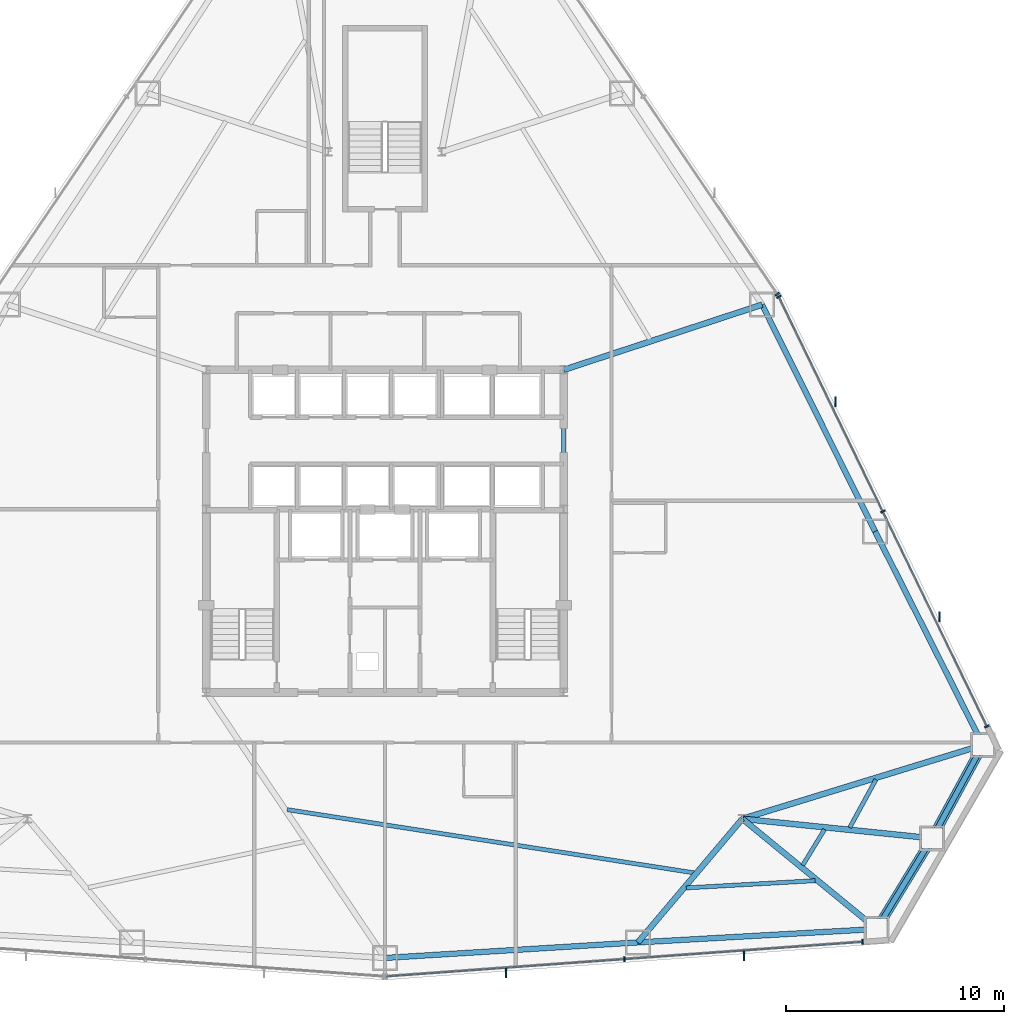
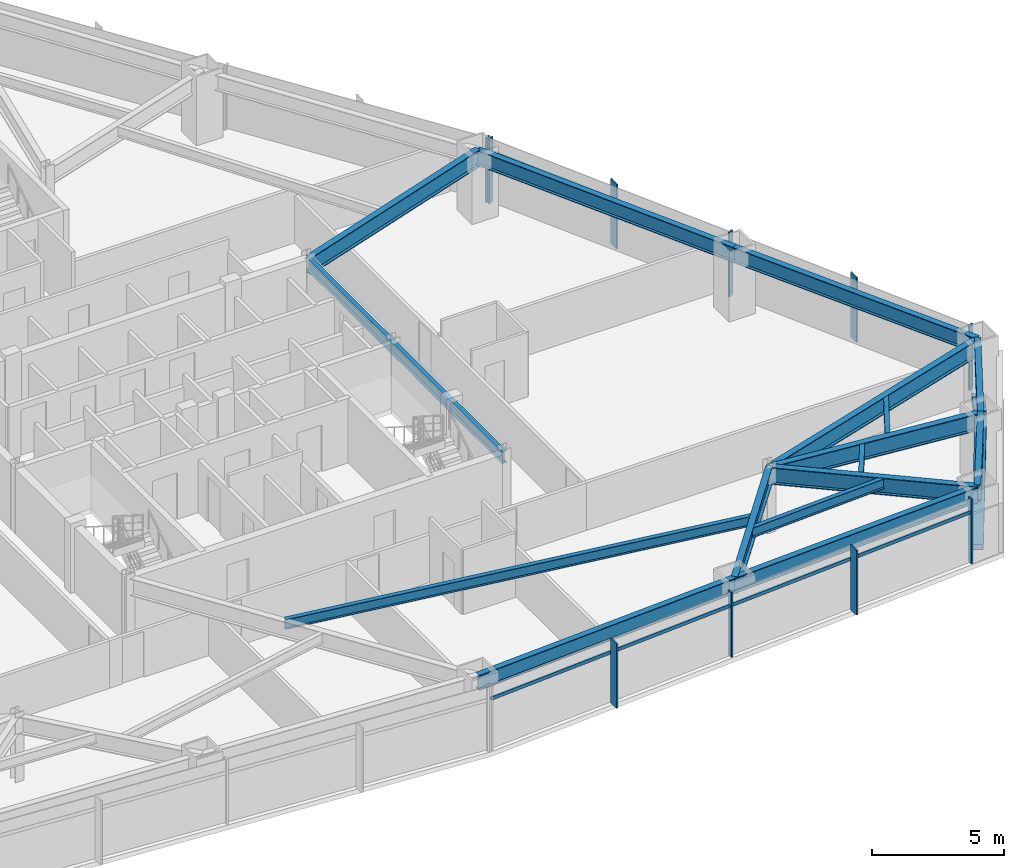
# One storey, part 6 of 12: 16 beams, 14 members, 3 elements without a shape of their own.
"""IFC4 building model written with IfcOpenShell, lengths in metres."""

from ifc_helpers import new_model, si_unit, direction, frame, origin, origin_2d, place, context, subcontext, project, spatial, rectangle, hollow_rectangle, i_section, extrude, source, transform, mapped, material, layer, layer_set, material_profile, profile_set, type_object, type_shapes, element, aggregate, save


model = new_model("IFC4")

# Units and contexts
model_context = context("Model", 3, precision=1e-05, world=origin(), true_north=direction((0.0, 1.0)))
body_context = subcontext(model_context, "Body", "Model", "MODEL_VIEW")
ifc_project = project(units=[si_unit("LENGTHUNIT", "METRE"), si_unit("AREAUNIT", "SQUARE_METRE"), si_unit("VOLUMEUNIT", "CUBIC_METRE"), si_unit("PLANEANGLEUNIT", "RADIAN"), si_unit("MASSUNIT", "GRAM", prefix="KILO")], contexts=[model_context])

# Site, building, storey
site_placement = place(None, origin())
site = spatial("IfcSite", under=ifc_project, at=site_placement, CompositionType="ELEMENT")
building_placement = place(site_placement, origin())
building = spatial("IfcBuilding", under=site, at=building_placement, Name="Varakhsha Concourse Tower", CompositionType="ELEMENT")
storey_placement = place(building_placement, frame((0.0, 0.0, 59.199951171875)))
storey = spatial("IfcBuildingStorey", under=building, at=storey_placement, Name="L16", CompositionType="ELEMENT", Elevation=59.199951171875)

# Beams
ifc_material_1 = material(Name="Structural Steel ASTM A992 Grade 50", Category="steel")
ifc_material_profile_1 = material_profile(ifc_material_1, i_section(OverallWidth=0.26611328125, OverallDepth=0.779052734375, WebThickness=0.01708984375, FlangeThickness=0.030029296875, at=origin_2d()), Name="W30X148")
ifc_profile_set_1 = profile_set([ifc_material_profile_1], Name="Structural Steel ASTM A992 Grade 50")
beam_type_1 = type_object("IfcBeamType", Name="BM-BASE-W30X148", PredefinedType="USERDEFINED", material=ifc_profile_set_1)
beam_1_placement = place(storey_placement, frame((56.39990234375, 10.60009765625, 2.590576171875), z_axis=(-0.645535260448, -0.763730467848, 0.0), x_axis=(0.763730467848, -0.645535260448, 0.0)))
element("IfcBeam", 1, at=beam_1_placement, inside=storey, type_object=beam_type_1, Name="L16 Radial Floor Girder 12", ObjectType="GIRDER", PredefinedType="USERDEFINED", context=body_context, shape_type="SweptSolid", body=[
    extrude(i_section(OverallWidth=0.26611328125, OverallDepth=0.779052734375, WebThickness=0.01708984375, FlangeThickness=0.030029296875, at=origin_2d()), origin(), (0.0, 0.0, 1.0), 7.423583984375),
])
beam_2_placement = place(storey_placement, frame((56.39990234375, 10.60009765625, 2.590576171875), z_axis=(0.773178879733, -0.634188000466, 0.0), x_axis=(0.634188000466, 0.773178879733, 0.0)))
element("IfcBeam", 2, at=beam_2_placement, inside=storey, type_object=beam_type_1, Name="L16 Radial Floor Girder 13", ObjectType="GIRDER", PredefinedType="USERDEFINED", context=body_context, shape_type="SweptSolid", body=[
    extrude(i_section(OverallWidth=0.26611328125, OverallDepth=0.779052734375, WebThickness=0.01708984375, FlangeThickness=0.030029296875, at=origin_2d()), origin(), (0.0, 0.0, 1.0), 7.97119140625),
])
beam_3_placement = place(storey_placement, frame((56.39990234375, 10.60009765625, 2.590576171875), z_axis=(0.994778315071, -0.102059315422, 0.0), x_axis=(0.102059315422, 0.994778315071, 0.0)))
element("IfcBeam", 3, at=beam_3_placement, inside=storey, type_object=beam_type_1, Name="L16 Radial Floor Girder 14", ObjectType="GIRDER", PredefinedType="USERDEFINED", context=body_context, shape_type="SweptSolid", body=[
    extrude(i_section(OverallWidth=0.26611328125, OverallDepth=0.779052734375, WebThickness=0.01708984375, FlangeThickness=0.030029296875, at=origin_2d()), origin(), (0.0, 0.0, 1.0), 8.748046875),
])
beam_4_placement = place(storey_placement, frame((56.39990234375, 10.60009765625, 2.590576171875), z_axis=(0.955989537432, 0.293400757191, 0.0), x_axis=(-0.293400757191, 0.955989537432, 0.0)))
element("IfcBeam", 4, at=beam_4_placement, inside=storey, type_object=beam_type_1, Name="L16 Radial Floor Girder 15", ObjectType="GIRDER", PredefinedType="USERDEFINED", context=body_context, shape_type="SweptSolid", body=[
    extrude(i_section(OverallWidth=0.26611328125, OverallDepth=0.779052734375, WebThickness=0.01708984375, FlangeThickness=0.030029296875, at=origin_2d()), origin(), (0.0, 0.0, 1.0), 11.54541015625),
])
beam_5_placement = place(storey_placement, frame((48.199951171875, 31.199951171875, 2.590576171875), z_axis=(0.950042324333, 0.31212110146, 0.0), x_axis=(-0.31212110146, 0.950042324333, 0.0)))
element("IfcBeam", 5, at=beam_5_placement, inside=storey, type_object=beam_type_1, Name="L16 Radial Floor Girder 17", ObjectType="GIRDER", PredefinedType="USERDEFINED", context=body_context, shape_type="SweptSolid", body=[
    extrude(i_section(OverallWidth=0.26611328125, OverallDepth=0.779052734375, WebThickness=0.01708984375, FlangeThickness=0.030029296875, at=origin_2d()), origin(), (0.0, 0.0, 1.0), 9.584228515625),
])
ifc_material_profile_2 = material_profile(ifc_material_1, i_section(OverallWidth=0.19091796875, OverallDepth=0.45703125, WebThickness=0.009033203125, FlangeThickness=0.013916015625, at=origin_2d()), Name="W18X50")
ifc_profile_set_2 = profile_set([ifc_material_profile_2], Name="Structural Steel ASTM A992 Grade 50")
beam_type_2 = type_object("IfcBeamType", Name="BM-JST-W18X50", PredefinedType="JOIST", material=ifc_profile_set_2)
beam_6_placement = place(storey_placement, frame((35.5166015625, 11.022705078125, 2.75146484375), z_axis=(0.988142278735, -0.153540994446, 0.0), x_axis=(0.153540994446, 0.988142278735, 0.0)))
element("IfcBeam", 6, at=beam_6_placement, inside=storey, type_object=beam_type_2, Name="BM-TJST-L16-11", PredefinedType="JOIST", context=body_context, shape_type="SweptSolid", body=[
    extrude(i_section(OverallWidth=0.19091796875, OverallDepth=0.45703125, WebThickness=0.009033203125, FlangeThickness=0.013916015625, at=origin_2d()), origin(), (0.0, 0.0, 1.0), 18.889892578125),
])
beam_7_placement = place(storey_placement, frame((53.826171875, 7.43115234375, 2.75146484375), z_axis=(0.998430668569, 0.056001786231, 0.0), x_axis=(-0.056001786231, 0.998430668569, 0.0)))
element("IfcBeam", 7, at=beam_7_placement, inside=storey, type_object=beam_type_2, Name="BM-TJST-L16-12", PredefinedType="JOIST", context=body_context, shape_type="SweptSolid", body=[
    extrude(i_section(OverallWidth=0.19091796875, OverallDepth=0.45703125, WebThickness=0.009033203125, FlangeThickness=0.013916015625, at=origin_2d()), origin(), (0.0, 0.0, 1.0), 5.924560546875),
])
beam_8_placement = place(storey_placement, frame((59.1689453125, 8.4697265625, 2.75146484375), z_axis=(0.520803562665, 0.853676548299, 0.0), x_axis=(-0.853676548299, 0.520803562665, 0.0)))
element("IfcBeam", 8, at=beam_8_placement, inside=storey, type_object=beam_type_2, Name="BM-TJST-L16-13", PredefinedType="JOIST", context=body_context, shape_type="SweptSolid", body=[
    extrude(i_section(OverallWidth=0.19091796875, OverallDepth=0.45703125, WebThickness=0.009033203125, FlangeThickness=0.013916015625, at=origin_2d()), origin(), (0.0, 0.0, 1.0), 1.92529296875),
])
beam_9_placement = place(storey_placement, frame((61.325927734375, 10.196533203125, 2.75146484375), z_axis=(0.478940703394, 0.877847254728, 0.0), x_axis=(-0.877847254728, 0.478940703394, 0.0)))
element("IfcBeam", 9, at=beam_9_placement, inside=storey, type_object=beam_type_2, Name="BM-TJST-L16-14", PredefinedType="JOIST", context=body_context, shape_type="SweptSolid", body=[
    extrude(i_section(OverallWidth=0.19091796875, OverallDepth=0.45703125, WebThickness=0.009033203125, FlangeThickness=0.013916015625, at=origin_2d()), origin(), (0.0, 0.0, 1.0), 2.510498046875),
])
ifc_material_profile_3 = material_profile(ifc_material_1, i_section(OverallWidth=0.2109375, OverallDepth=0.5390625, WebThickness=0.011962890625, FlangeThickness=0.01904296875, at=origin_2d()), Name="W21X73")
ifc_profile_set_3 = profile_set([ifc_material_profile_3], Name="Structural Steel ASTM A992 Grade 50")
beam_type_3 = type_object("IfcBeamType", Name="BM-RAD-W21X73", PredefinedType="BEAM", material=ifc_profile_set_3)
beam_10_placement = place(storey_placement, frame((48.199951171875, 16.39990234375, 2.71044921875), z_axis=(0.0, 1.0, 0.0), x_axis=(-1.0, 0.0, 0.0)))
element("IfcBeam", 10, at=beam_10_placement, inside=storey, type_object=beam_type_3, Name="BM-TCORE-L16-CE", PredefinedType="BEAM", context=body_context, shape_type="SweptSolid", body=[
    extrude(i_section(OverallWidth=0.2109375, OverallDepth=0.5390625, WebThickness=0.011962890625, FlangeThickness=0.01904296875, at=origin_2d()), origin(), (0.0, 0.0, 1.0), 14.800048828125),
])
ifc_material_profile_4 = material_profile(ifc_material_1, i_section(OverallWidth=0.25390625, OverallDepth=0.701904296875, WebThickness=0.014892578125, FlangeThickness=0.028076171875, at=origin_2d()), Name="W27X129")
ifc_profile_set_4 = profile_set([ifc_material_profile_4], Name="Structural Steel ASTM A992 Grade 50")
beam_type_4 = type_object("IfcBeamType", Name="BM-SPAN-W27X129", PredefinedType="SPANDREL", material=ifc_profile_set_4)
beam_11_placement = place(storey_placement, frame((40.0, 4.217529296875, 2.629150390625), z_axis=(0.998119386506, 0.061300002284, 0.0), x_axis=(-0.061300002284, 0.998119386506, 0.0)))
element("IfcBeam", 11, at=beam_11_placement, inside=storey, type_object=beam_type_4, Name="BM-SPAN-L16-11", PredefinedType="SPANDREL", context=body_context, shape_type="SweptSolid", body=[
    extrude(i_section(OverallWidth=0.25390625, OverallDepth=0.701904296875, WebThickness=0.014892578125, FlangeThickness=0.028076171875, at=origin_2d()), origin(), (0.0, 0.0, 1.0), 11.629638671875),
])
beam_12_placement = place(storey_placement, frame((51.607666015625, 4.930419921875, 2.629150390625), z_axis=(0.998430566592, 0.056003604308, 0.0), x_axis=(-0.056003604308, 0.998430566592, 0.0)))
element("IfcBeam", 12, at=beam_12_placement, inside=storey, type_object=beam_type_4, Name="BM-SPAN-L16-12", PredefinedType="SPANDREL", context=body_context, shape_type="SweptSolid", body=[
    extrude(i_section(OverallWidth=0.25390625, OverallDepth=0.701904296875, WebThickness=0.014892578125, FlangeThickness=0.028076171875, at=origin_2d()), origin(), (0.0, 0.0, 1.0), 10.97265625),
])
for number, where, z_axis, x_axis, name in (
    (13, (62.56298828125, 5.544921875, 2.629150390625), (0.520799708694, 0.853678899484, 0.0), (-0.853678899484, 0.520799708694, 0.0), "BM-SPAN-L16-13"),
    (14, (65.102294921875, 9.707275390625, 2.629150390625), (0.478894229376, 0.87787260868, 0.0), (-0.87787260868, 0.478894229376, 0.0), "BM-SPAN-L16-14"),
):
    element("IfcBeam", number, at=place(storey_placement, frame(where, z_axis=z_axis, x_axis=x_axis)), inside=storey, type_object=beam_type_4, Name=name, PredefinedType="SPANDREL", context=body_context, shape_type="SweptSolid", body=[
        extrude(i_section(OverallWidth=0.25390625, OverallDepth=0.701904296875, WebThickness=0.014892578125, FlangeThickness=0.028076171875, at=origin_2d()), origin(), (0.0, 0.0, 1.0), 4.875732421875),
    ])
beam_13_placement = place(storey_placement, frame((67.437255859375, 13.987548828125, 2.629150390625), z_axis=(-0.450725699101, 0.892662502948, 0.0), x_axis=(-0.892662502948, -0.450725699101, 0.0)))
element("IfcBeam", 15, at=beam_13_placement, inside=storey, type_object=beam_type_4, Name="BM-SPAN-L16-15", PredefinedType="SPANDREL", context=body_context, shape_type="SweptSolid", body=[
    extrude(i_section(OverallWidth=0.25390625, OverallDepth=0.701904296875, WebThickness=0.014892578125, FlangeThickness=0.028076171875, at=origin_2d()), origin(), (0.0, 0.0, 1.0), 10.972412109375),
])
beam_14_placement = place(storey_placement, frame((62.49169921875, 23.7822265625, 2.629150390625), z_axis=(-0.445953574097, 0.895056093075, 0.0), x_axis=(-0.895056093075, -0.445953574097, 0.0)))
element("IfcBeam", 16, at=beam_14_placement, inside=storey, type_object=beam_type_4, Name="BM-SPAN-L16-16", PredefinedType="SPANDREL", context=body_context, shape_type="SweptSolid", body=[
    extrude(i_section(OverallWidth=0.25390625, OverallDepth=0.701904296875, WebThickness=0.014892578125, FlangeThickness=0.028076171875, at=origin_2d()), origin(), (0.0, 0.0, 1.0), 11.629638671875),
])

# Members
ifc_material_2 = material(Name="Structural Steel ASTM A500 Grade C", Category="steel")
ifc_material_profile_5 = material_profile(ifc_material_2, hollow_rectangle(XDim=0.449951171875, YDim=0.449951171875, WallThickness=0.01904296875, at=origin_2d()), Name="HSS 450x450x19")
ifc_profile_set_5 = profile_set([ifc_material_profile_5], Name="Structural Steel ASTM A500 Grade C")
member_type_1 = type_object("IfcMemberType", Name="MB-TUBE-HSS450", PredefinedType="BRACE", material=ifc_profile_set_5)
shared_shape_1 = source(origin(), body_context, "Body", "SweptSolid", [
    extrude(hollow_rectangle(XDim=0.449951171875, YDim=0.449951171875, WallThickness=0.01904296875, at=origin_2d()), origin(), (0.0, 0.0, 1.0), 5.5068359375),
])
type_shapes(member_type_1, [shared_shape_1])
for number, where, z_axis, x_axis, name in (
    (17, (62.56298828125, 5.544921875, 0.1201171875), (0.461113876099, 0.755843714413, 0.464837899327), (-0.853678899484, 0.520799708694, 0.0), "L16 Wind-Corner Tube Brace B05"),
    (18, (67.437255859375, 13.987548828125, 0.1201171875), (-0.424010012347, -0.777263021378, 0.464841591327), (0.87787260868, -0.478894229376, 0.0), "L16 Wind-Corner Tube Brace B06"),
):
    element("IfcMember", number, at=place(storey_placement, frame(where, z_axis=z_axis, x_axis=x_axis)), inside=storey, type_object=member_type_1, Name=name, PredefinedType="BRACE", context=body_context, shape_type="MappedRepresentation", body=[
        mapped(shared_shape_1, transform((0.0, 0.0, 0.0), scale=1.0)),
    ])

# Curtain wall, members
ifc_material_3 = material(Name="Anodised Bronze Architectural Aluminium AA 6063-T6", Category="aluminium")
ifc_layer = layer(ifc_material_3, 0.219970703125, Name="CW-SYS-02")
ifc_layer_set = layer_set([ifc_layer], Name="Anodised Bronze Architectural Aluminium AA 6063-T6")
curtain_wall_type = type_object("IfcCurtainWallType", Name="CW-SYS-02", PredefinedType="NOTDEFINED", material=ifc_layer_set)
curtain_wall_1_placement = place(storey_placement, origin())
curtain_wall_1 = element("IfcCurtainWall", 19, at=curtain_wall_1_placement, inside=storey, type_object=curtain_wall_type, Name="L16 Crystal Curtain Wall F6", PredefinedType="NOTDEFINED")
ifc_material_profile_6 = material_profile(ifc_material_3, rectangle(XDim=0.074951171875, YDim=0.219970703125, at=origin_2d()), Name="CWM-220X75")
ifc_profile_set_6 = profile_set([ifc_material_profile_6], Name="Anodised Bronze Architectural Aluminium AA 6063-T6")
member_type_2 = type_object("IfcMemberType", Name="CWM-220X75", PredefinedType="MULLION", material=ifc_profile_set_6)
shared_shape_2 = source(origin(), body_context, "Body", "SweptSolid", [
    extrude(rectangle(XDim=0.074951171875, YDim=0.219970703125, at=origin_2d()), origin(), (0.0, 0.0, 1.0), 2.97998046875),
])
type_shapes(member_type_2, [shared_shape_2])
member_1_placement = place(storey_placement, frame((61.9150390625, 4.956787109375, 0.0), z_axis=(0.0, 0.0, 1.0), x_axis=(-0.997375609494, -0.072400922553, 0.0)))
member_1 = element("IfcMember", 20, at=member_1_placement, type_object=member_type_2, Name="CW-L16-F6 Mullion 00", PredefinedType="MULLION", context=body_context, shape_type="MappedRepresentation", body=[
    mapped(shared_shape_2, transform((0.0, 0.0, 0.0), scale=1.0)),
])
member_2_placement = place(storey_placement, frame((50.99169921875, 4.163818359375, 0.0), z_axis=(0.0, 0.0, 1.0), x_axis=(-0.997375609494, -0.072400922553, 0.0)))
member_2 = element("IfcMember", 21, at=member_2_placement, type_object=member_type_2, Name="CW-L16-F6 Mullion 01", PredefinedType="MULLION", context=body_context, shape_type="MappedRepresentation", body=[
    mapped(shared_shape_2, transform((0.0, 0.0, 0.0), scale=1.0)),
])

curtain_wall_2_placement = place(storey_placement, origin())
curtain_wall_2 = element("IfcCurtainWall", 22, at=curtain_wall_2_placement, inside=storey, type_object=curtain_wall_type, Name="L16 Crystal Curtain Wall F8", PredefinedType="NOTDEFINED")
member_3_placement = place(storey_placement, frame((58.07275390625, 34.555419921875, 0.0), z_axis=(0.0, 0.0, 1.0), x_axis=(0.435982054409, -0.899955359022, 0.0)))
member_3 = element("IfcMember", 23, at=member_3_placement, type_object=member_type_2, Name="CW-L16-F8 Mullion 00", PredefinedType="MULLION", context=body_context, shape_type="MappedRepresentation", body=[
    mapped(shared_shape_2, transform((0.0, 0.0, 0.0), scale=1.0)),
])
member_4_placement = place(storey_placement, frame((62.84765625, 24.69921875, 0.0), z_axis=(0.0, 0.0, 1.0), x_axis=(0.435982054409, -0.899955359022, 0.0)))
member_4 = element("IfcMember", 24, at=member_4_placement, type_object=member_type_2, Name="CW-L16-F8 Mullion 01", PredefinedType="MULLION", context=body_context, shape_type="MappedRepresentation", body=[
    mapped(shared_shape_2, transform((0.0, 0.0, 0.0), scale=1.0)),
])
member_5_placement = place(storey_placement, frame((67.62255859375, 14.842529296875, 0.0), z_axis=(0.0, 0.0, 1.0), x_axis=(0.435982054409, -0.899955359022, 0.0)))
member_5 = element("IfcMember", 25, at=member_5_placement, type_object=member_type_2, Name="CW-L16-F8 Mullion 02", PredefinedType="MULLION", context=body_context, shape_type="MappedRepresentation", body=[
    mapped(shared_shape_2, transform((0.0, 0.0, 0.0), scale=1.0)),
])

# Curtain wall, member
curtain_wall_3_placement = place(storey_placement, origin())
curtain_wall_3 = element("IfcCurtainWall", 26, at=curtain_wall_3_placement, inside=storey, type_object=curtain_wall_type, Name="L16 Crystal Curtain Wall F9", PredefinedType="NOTDEFINED")
member_6_placement = place(storey_placement, frame((58.00439453125, 34.673583984375, 0.0), z_axis=(0.0, 0.0, 1.0), x_axis=(0.561391731634, -0.827550194038, 0.0)))
member_6 = element("IfcMember", 27, at=member_6_placement, type_object=member_type_2, Name="CW-L16-F9 Mullion 02", PredefinedType="MULLION", context=body_context, shape_type="MappedRepresentation", body=[
    mapped(shared_shape_2, transform((0.0, 0.0, 0.0), scale=1.0)),
])
aggregate(curtain_wall_3, [member_6])

# Member
ifc_material_profile_7 = material_profile(ifc_material_3, rectangle(XDim=0.06494140625, YDim=0.449951171875, at=origin_2d()), Name="FIN-BRZ-450")
ifc_profile_set_7 = profile_set([ifc_material_profile_7], Name="Anodised Bronze Architectural Aluminium AA 6063-T6")
member_type_3 = type_object("IfcMemberType", Name="FIN-BRZ-450", PredefinedType="USERDEFINED", material=ifc_profile_set_7)
shared_shape_3 = source(origin(), body_context, "Body", "SweptSolid", [
    extrude(rectangle(XDim=0.06494140625, YDim=0.449951171875, at=origin_2d()), origin(), (0.0, 0.0, 1.0), 2.97998046875),
])
type_shapes(member_type_3, [shared_shape_3])
member_7_placement = place(storey_placement, frame((56.470703125, 4.321044921875, 0.0), z_axis=(0.0, 0.0, 1.0), x_axis=(1.0, 0.0, 0.0)))
member_7 = element("IfcMember", 28, at=member_7_placement, type_object=member_type_3, Name="L16 Anodised Bronze Solar Fin F6-1", ObjectType="SOLAR FIN", PredefinedType="USERDEFINED", context=body_context, shape_type="MappedRepresentation", body=[
    mapped(shared_shape_3, transform((0.0, 0.0, 0.0), scale=1.0)),
])

member_8_placement = place(storey_placement, frame((45.54736328125, 3.528076171875, 0.0), z_axis=(0.0, 0.0, 1.0), x_axis=(1.0, 0.0, 0.0)))
member_8 = element("IfcMember", 29, at=member_8_placement, type_object=member_type_3, Name="L16 Anodised Bronze Solar Fin F6-2", ObjectType="SOLAR FIN", PredefinedType="USERDEFINED", context=body_context, shape_type="MappedRepresentation", body=[
    mapped(shared_shape_3, transform((0.0, 0.0, 0.0), scale=1.0)),
])

member_9_placement = place(storey_placement, frame((60.67626953125, 29.73193359375, 0.0), z_axis=(0.0, 0.0, 1.0), x_axis=(1.0, 0.0, 0.0)))
member_9 = element("IfcMember", 30, at=member_9_placement, type_object=member_type_3, Name="L16 Anodised Bronze Solar Fin F8-1", ObjectType="SOLAR FIN", PredefinedType="USERDEFINED", context=body_context, shape_type="MappedRepresentation", body=[
    mapped(shared_shape_3, transform((0.0, 0.0, 0.0), scale=1.0)),
])

member_10_placement = place(storey_placement, frame((65.451171875, 19.87548828125, 0.0), z_axis=(0.0, 0.0, 1.0), x_axis=(1.0, 0.0, 0.0)))
member_10 = element("IfcMember", 31, at=member_10_placement, type_object=member_type_3, Name="L16 Anodised Bronze Solar Fin F8-2", ObjectType="SOLAR FIN", PredefinedType="USERDEFINED", context=body_context, shape_type="MappedRepresentation", body=[
    mapped(shared_shape_3, transform((0.0, 0.0, 0.0), scale=1.0)),
])

ifc_material_profile_8 = material_profile(ifc_material_3, rectangle(XDim=0.06494140625, YDim=0.159912109375, at=origin_2d()), Name="CWT-160X65")
ifc_profile_set_8 = profile_set([ifc_material_profile_8], Name="Anodised Bronze Architectural Aluminium AA 6063-T6")
member_type_4 = type_object("IfcMemberType", Name="CWT-160X65", PredefinedType="USERDEFINED", material=ifc_profile_set_8)
shared_shape_4 = source(origin(), body_context, "Body", "SweptSolid", [
    extrude(rectangle(XDim=0.06494140625, YDim=0.159912109375, at=origin_2d()), origin(), (0.0, 0.0, 1.0), 21.904296875),
])
type_shapes(member_type_4, [shared_shape_4])
member_11_placement = place(storey_placement, frame((61.9150390625, 4.956787109375, 2.330078125), z_axis=(-0.997375484087, -0.072402650105, 0.0), x_axis=(0.072402650105, -0.997375484087, 0.0)))
member_11 = element("IfcMember", 32, at=member_11_placement, type_object=member_type_4, Name="CW-L16-F6 Transom 01", ObjectType="TRANSOM", PredefinedType="USERDEFINED", context=body_context, shape_type="MappedRepresentation", body=[
    mapped(shared_shape_4, transform((0.0, 0.0, 0.0), scale=1.0)),
])

aggregate(curtain_wall_1, [member_1, member_2, member_11, member_7, member_8])

member_12_placement = place(storey_placement, frame((58.07275390625, 34.555419921875, 2.330078125), z_axis=(0.435979233991, -0.899956725364, 0.0), x_axis=(0.899956725364, 0.435979233991, 0.0)))
member_12 = element("IfcMember", 33, at=member_12_placement, type_object=member_type_4, Name="CW-L16-F8 Transom 01", ObjectType="TRANSOM", PredefinedType="USERDEFINED", context=body_context, shape_type="MappedRepresentation", body=[
    mapped(shared_shape_4, transform((0.0, 0.0, 0.0), scale=1.0)),
])

aggregate(curtain_wall_2, [member_3, member_4, member_5, member_12, member_9, member_10])

save(model, "model.ifc")
